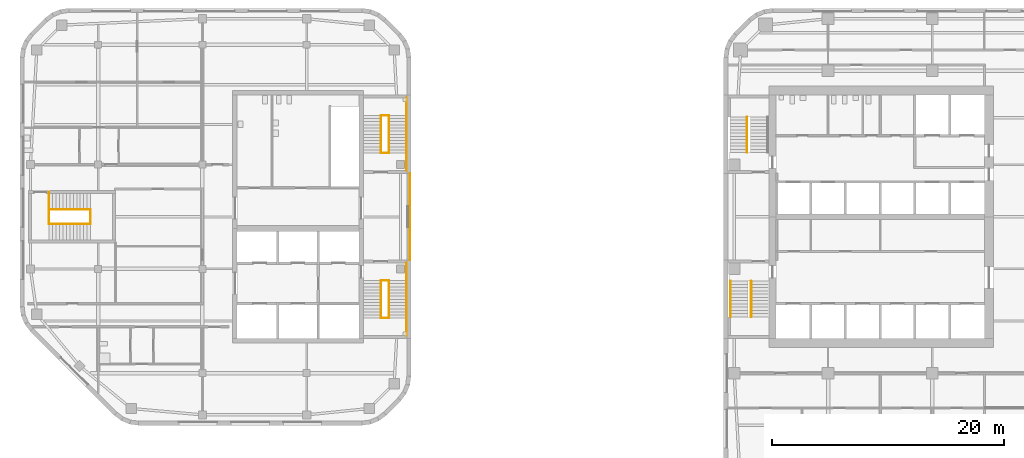
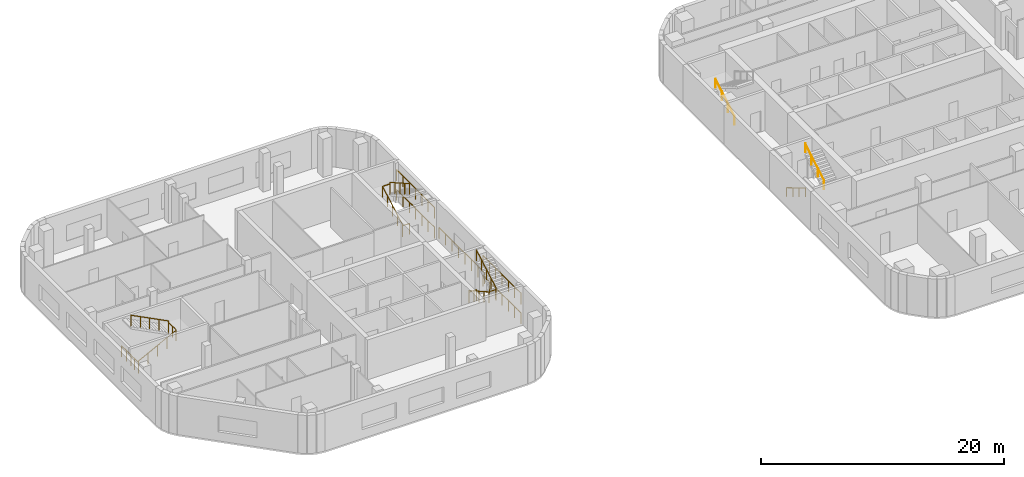
# One storey, part 13 of 15: 21 railings, 2 elements without a shape of their own.
"""IFC4 building model written with IfcOpenShell, lengths in metres."""

import ifcopenshell
import ifcopenshell.guid

model = None  # the IFC model being written
_history = None  # IfcOwnerHistory: only IFC2X3 demands one
_inside = {}  # id of a spatial element -> (the spatial element, [elements in it])
_under = {}  # id of a project, library or spatial element -> (it, [spatial elements below it])
_declared = {}  # id of a project -> (the project, [libraries it declares])
_typed = {}  # id of a type object -> (the type object, [elements of that type])
_made_of = {}  # id of a material, layer set ... -> (it, [elements and type objects made of it])


def new_model(schema):
    """Start an empty IFC model of exactly this schema.

    Asked for "IFC4X3", IfcOpenShell would pick the latest addendum, in which some entities
    have other attributes; the version numbers below select the first issue.
    IFC2X3 requires an IfcOwnerHistory on every rooted entity: one is made here for all.
    """
    global model, _history
    if schema == "IFC4X3":
        model = ifcopenshell.file(schema_version=(4, 3, 0, 0))
    else:
        model = ifcopenshell.file(schema=schema)
    _inside.clear()
    _under.clear()
    _declared.clear()
    _typed.clear()
    _made_of.clear()
    _history = None
    if model.schema == "IFC2X3":
        org = make("IfcOrganization", Name="unknown")
        user = make(
            "IfcPersonAndOrganization",
            ThePerson=make("IfcPerson", FamilyName="unknown"),
            TheOrganization=org,
        )
        app = make(
            "IfcApplication",
            ApplicationDeveloper=org,
            Version="unknown",
            ApplicationFullName="unknown",
            ApplicationIdentifier="unknown",
        )
        _history = make(
            "IfcOwnerHistory",
            OwningUser=user,
            OwningApplication=app,
            ChangeAction="ADDED",
            CreationDate=0,
        )
    return model


def make(cls, **values):
    """One entity of the class cls with the attributes given. An attribute that is None is left unset."""
    return model.create_entity(
        cls, **{name: value for name, value in values.items() if value is not None}
    )


def rooted(cls, **values):
    """An entity with a GlobalId (a new one), such as an element, a storey or a relation."""
    return make(cls, GlobalId=ifcopenshell.guid.new(), OwnerHistory=_history, **values)


def si_unit(unit_type, name, prefix=None):
    """IfcSIUnit, for example si_unit("LENGTHUNIT", "METRE", prefix="MILLI")."""
    return make("IfcSIUnit", UnitType=unit_type, Prefix=prefix, Name=name)


def assignment(units):
    """IfcUnitAssignment: the units of a project."""
    return None if units is None else make("IfcUnitAssignment", Units=units)


def point(xyz):
    """IfcCartesianPoint."""
    return None if xyz is None else make("IfcCartesianPoint", Coordinates=xyz)


def direction(xyz):
    """IfcDirection."""
    return None if xyz is None else make("IfcDirection", DirectionRatios=xyz)


def frame(location, z_axis=None, x_axis=None):
    """IfcAxis2Placement3D, a coordinate frame: its origin and axes. An axis left out is left unset."""
    return make(
        "IfcAxis2Placement3D",
        Location=point(location),
        Axis=direction(z_axis),
        RefDirection=direction(x_axis),
    )


def frame_2d(location, x_axis=None):
    """IfcAxis2Placement2D, a coordinate frame in the plane: its origin and x axis."""
    return make(
        "IfcAxis2Placement2D", Location=point(location), RefDirection=direction(x_axis)
    )


def origin():
    """The frame at (0, 0, 0) with its axes left unset."""
    return frame((0.0, 0.0, 0.0))


def origin_2d():
    """The frame at (0, 0) in the plane with its x axis left unset."""
    return frame_2d((0.0, 0.0))


def place(relative_to, where):
    """IfcLocalPlacement: puts the frame where relative to a parent placement (None: the world)."""
    return make(
        "IfcLocalPlacement", PlacementRelTo=relative_to, RelativePlacement=where
    )


def context(
    kind, dimensions, precision=None, world=None, true_north=None, identifier=None
):
    """IfcGeometricRepresentationContext, for example the 3D "Model" context."""
    return make(
        "IfcGeometricRepresentationContext",
        ContextIdentifier=identifier,
        ContextType=kind,
        CoordinateSpaceDimension=dimensions,
        Precision=precision,
        WorldCoordinateSystem=world,
        TrueNorth=true_north,
    )


def subcontext(parent, identifier, kind, view, scale=None):
    """IfcGeometricRepresentationSubContext, for example "Body" below "Model"."""
    return make(
        "IfcGeometricRepresentationSubContext",
        ContextIdentifier=identifier,
        ContextType=kind,
        ParentContext=parent,
        TargetScale=scale,
        TargetView=view,
    )


def project(units=None, contexts=None):
    """IfcProject with its units and contexts."""
    return rooted(
        "IfcProject",
        Name="project",
        RepresentationContexts=contexts,
        UnitsInContext=assignment(units),
    )


def spatial(cls, under=None, at=None, **own):
    """A site, building, storey or space (cls), placed at a placement, below another one or the project."""
    s = rooted(cls, ObjectPlacement=at, **own)
    if under is not None:
        _under.setdefault(under.id(), (under, []))[1].append(s)
    return s


def profile(cls, at=None, kind="AREA", **sizes):
    """A parametric profile (cls). Its sizes go by their IFC names, for example OverallWidth=200.0."""
    return make(cls, ProfileType=kind, Position=at, **sizes)


def circle(**sizes):
    """IfcCircleProfileDef."""
    return profile("IfcCircleProfileDef", **sizes)


def extrude(swept, where, along, depth):
    """IfcExtrudedAreaSolid: the profile swept, set in the frame where, extruded along a direction by depth."""
    return make(
        "IfcExtrudedAreaSolid",
        SweptArea=swept,
        Position=where,
        ExtrudedDirection=direction(along),
        Depth=depth,
    )


def shape(context_of_items, identifier, shape_type, items):
    """IfcShapeRepresentation: the items that make up one representation, for example the "Body"."""
    return make(
        "IfcShapeRepresentation",
        ContextOfItems=context_of_items,
        RepresentationIdentifier=identifier,
        RepresentationType=shape_type,
        Items=items,
    )


def material(Name=None, Category=None):
    """IfcMaterial."""
    return make("IfcMaterial", Name=Name, Category=Category)


def made_of(thing, what):
    """Note that an element or type object is made of a material, layer set ...; save() writes the relation."""
    if what is not None:
        _made_of.setdefault(what.id(), (what, []))[1].append(thing)
    return thing


def type_object(cls, material=None, **own):
    """A type object (cls), such as IfcWallType, which elements share."""
    return made_of(rooted(cls, **own), material)


def element(
    cls,
    number,
    at=None,
    inside=None,
    cuts=None,
    type_object=None,
    material=None,
    context=None,
    identifier="Body",
    shape_type=None,
    held_by="IfcProductDefinitionShape",
    body=None,
    shapes=None,
    **own,
):
    """One element of the class cls, such as IfcWall. Its Tag is "e" and its number.

    at: its placement. inside: the storey or other place that contains it. cuts: it is an
    opening in that element (IfcRelVoidsElement). A single representation is given by context,
    identifier, shape_type and body (its items); several are given by shapes. held_by: the class
    of the entity that holds the representations. save() writes the other relations.
    """
    e = rooted(cls, Tag="e%d" % number, ObjectPlacement=at, **own)
    if body is not None:
        shapes = [shape(context, identifier, shape_type, body)]
    if shapes is not None:
        e.Representation = make(held_by, Representations=shapes)
    if inside is not None:
        _inside.setdefault(inside.id(), (inside, []))[1].append(e)
    if cuts is not None:
        rooted(
            "IfcRelVoidsElement", RelatingBuildingElement=cuts, RelatedOpeningElement=e
        )
    if type_object is not None:
        _typed.setdefault(type_object.id(), (type_object, []))[1].append(e)
    return made_of(e, material)


def aggregate(whole, parts):
    """IfcRelAggregates: a whole, such as a stair, and the parts it consists of."""
    return rooted("IfcRelAggregates", RelatingObject=whole, RelatedObjects=parts)


def save(model, path):
    """Write the relations noted so far, then the file.

    IfcRelAggregates (storeys below a building ...), IfcRelContainedInSpatialStructure (elements
    in a storey), IfcRelDefinesByType, IfcRelAssociatesMaterial and IfcRelDeclares: one each for
    every whole, place, type object, material and project.
    """
    for whole, parts in _under.values():
        aggregate(whole, parts)
    for where, things in _inside.values():
        rooted(
            "IfcRelContainedInSpatialStructure",
            RelatedElements=things,
            RelatingStructure=where,
        )
    for kind, things in _typed.values():
        rooted("IfcRelDefinesByType", RelatedObjects=things, RelatingType=kind)
    for what, things in _made_of.values():
        rooted("IfcRelAssociatesMaterial", RelatedObjects=things, RelatingMaterial=what)
    for by, libraries in _declared.values():
        rooted("IfcRelDeclares", RelatingContext=by, RelatedDefinitions=libraries)
    model.write(path)


model = new_model("IFC4")

# Units and contexts
model_context = context("Model", 3, precision=1e-05, world=origin(), true_north=direction((0.0, 1.0)))
body_context = subcontext(model_context, "Body", "Model", "MODEL_VIEW")
ifc_project = project(units=[si_unit("LENGTHUNIT", "METRE"), si_unit("AREAUNIT", "SQUARE_METRE"), si_unit("VOLUMEUNIT", "CUBIC_METRE"), si_unit("PLANEANGLEUNIT", "RADIAN"), si_unit("MASSUNIT", "GRAM", prefix="KILO")], contexts=[model_context])

# Site, building, storey
site_placement = place(None, origin())
site = spatial("IfcSite", under=ifc_project, at=site_placement, CompositionType="ELEMENT")
building_placement = place(site_placement, origin())
building = spatial("IfcBuilding", under=site, at=building_placement, Name="Cinnabar Reach Civic Tower", CompositionType="ELEMENT")
storey_placement = place(building_placement, frame((0.0, 0.0, 120.0)))
storey = spatial("IfcBuildingStorey", under=building, at=storey_placement, Name="L28", CompositionType="ELEMENT", Elevation=120.0)

# Stair, railings
ifc_material_1 = material(Name="Concrete C40/50", Category="concrete")
stair_type = type_object("IfcStairType", Name="T1 Exit stair, half-turn", PredefinedType="HALF_TURN_STAIR", material=ifc_material_1)
stair_1_placement = place(storey_placement, origin())
stair_1 = element("IfcStair", 1, at=stair_1_placement, inside=storey, type_object=stair_type, Name="Stair T1-S1", PredefinedType="HALF_TURN_STAIR")
ifc_material_2 = material(Name="Stainless steel tube", Category="steel")
railing_type_1 = type_object("IfcRailingType", Name="T1 Stair handrail, stainless tube 48", PredefinedType="HANDRAIL", material=ifc_material_2)
railing_1_placement = place(storey_placement, frame((0.6, 25.95, 0.1667)))
railing_1 = element("IfcRailing", 2, at=railing_1_placement, type_object=railing_type_1, Name="T1-S1 handrail 1", PredefinedType="HANDRAIL", context=body_context, shape_type="SweptSolid", body=[
    extrude(circle(Radius=0.024, at=origin_2d()), frame((0.0, 0.0, 0.876), z_axis=(0.0, -0.859296971757, 0.511476992962), x_axis=(1.0, 0.0, 0.0)), (0.0, 0.0, 1.0), 3.5843),
    extrude(circle(Radius=0.021, at=origin_2d()), origin(), (0.0, 0.0, 1.0), 0.852),
    extrude(circle(Radius=0.021, at=origin_2d()), frame((0.0, -1.0267, 0.6111)), (0.0, 0.0, 1.0), 0.852),
    extrude(circle(Radius=0.021, at=origin_2d()), frame((0.0, -2.0533, 1.2222)), (0.0, 0.0, 1.0), 0.852),
    extrude(circle(Radius=0.021, at=origin_2d()), frame((0.0, -3.08, 1.8333)), (0.0, 0.0, 1.0), 0.852),
])
railing_2_placement = place(storey_placement, frame((2.375, 22.87, 2.1667)))
railing_2 = element("IfcRailing", 3, at=railing_2_placement, type_object=railing_type_1, Name="T1-S1 handrail 2", PredefinedType="HANDRAIL", context=body_context, shape_type="SweptSolid", body=[
    extrude(circle(Radius=0.024, at=origin_2d()), frame((0.0, 0.0, 0.876), z_axis=(0.0, 0.859296971757, 0.511476992962), x_axis=(-1.0, 0.0, 0.0)), (0.0, 0.0, 1.0), 3.5843),
    extrude(circle(Radius=0.021, at=origin_2d()), origin(), (0.0, 0.0, 1.0), 0.852),
    extrude(circle(Radius=0.021, at=origin_2d()), frame((0.0, 1.0267, 0.6111)), (0.0, 0.0, 1.0), 0.852),
    extrude(circle(Radius=0.021, at=origin_2d()), frame((0.0, 2.0533, 1.2222)), (0.0, 0.0, 1.0), 0.852),
    extrude(circle(Radius=0.021, at=origin_2d()), frame((0.0, 3.08, 1.8333)), (0.0, 0.0, 1.0), 0.852),
])
aggregate(stair_1, [railing_1, railing_2])

# Stair, railing
stair_2_placement = place(storey_placement, origin())
stair_2 = element("IfcStair", 4, at=stair_2_placement, inside=storey, type_object=stair_type, Name="Stair T1-S2", PredefinedType="HALF_TURN_STAIR")
railing_3_placement = place(storey_placement, frame((2.025, 37.05, 0.1667)))
railing_3 = element("IfcRailing", 5, at=railing_3_placement, type_object=railing_type_1, Name="T1-S2 handrail 1", PredefinedType="HANDRAIL", context=body_context, shape_type="SweptSolid", body=[
    extrude(circle(Radius=0.024, at=origin_2d()), frame((0.0, 0.0, 0.876), z_axis=(0.0, 0.859296971757, 0.511476992962), x_axis=(-1.0, 0.0, 0.0)), (0.0, 0.0, 1.0), 3.5843),
    extrude(circle(Radius=0.021, at=origin_2d()), origin(), (0.0, 0.0, 1.0), 0.852),
    extrude(circle(Radius=0.021, at=origin_2d()), frame((0.0, 1.0267, 0.6111)), (0.0, 0.0, 1.0), 0.852),
    extrude(circle(Radius=0.021, at=origin_2d()), frame((0.0, 2.0533, 1.2222)), (0.0, 0.0, 1.0), 0.852),
    extrude(circle(Radius=0.021, at=origin_2d()), frame((0.0, 3.08, 1.8333)), (0.0, 0.0, 1.0), 0.852),
])
aggregate(stair_2, [railing_3])

# Railings
ifc_material_3 = material(Name="Stainless steel", Category="steel")
railing_type_2 = type_object("IfcRailingType", Name="T2 Stair guard 1100", PredefinedType="GUARDRAIL", material=ifc_material_3)
railing_4_placement = place(storey_placement, frame((-27.1, 27.75, 0.0)))
element("IfcRailing", 6, at=railing_4_placement, inside=storey, type_object=railing_type_2, Name="Corridor end guard", PredefinedType="GUARDRAIL", context=body_context, shape_type="SweptSolid", body=[
    extrude(circle(Radius=0.024, at=origin_2d()), frame((0.0, 0.0, 1.076), z_axis=(0.0, 1.0, 0.0), x_axis=(-1.0, 0.0, 0.0)), (0.0, 0.0, 1.0), 7.5),
    extrude(circle(Radius=0.021, at=origin_2d()), origin(), (0.0, 0.0, 1.0), 1.052),
    extrude(circle(Radius=0.021, at=origin_2d()), frame((0.0, 1.0714, 0.0)), (0.0, 0.0, 1.0), 1.052),
    extrude(circle(Radius=0.021, at=origin_2d()), frame((0.0, 2.1429, 0.0)), (0.0, 0.0, 1.0), 1.052),
    extrude(circle(Radius=0.021, at=origin_2d()), frame((0.0, 3.2143, 0.0)), (0.0, 0.0, 1.0), 1.052),
    extrude(circle(Radius=0.021, at=origin_2d()), frame((0.0, 4.2857, 0.0)), (0.0, 0.0, 1.0), 1.052),
    extrude(circle(Radius=0.021, at=origin_2d()), frame((0.0, 5.3571, 0.0)), (0.0, 0.0, 1.0), 1.052),
    extrude(circle(Radius=0.021, at=origin_2d()), frame((0.0, 6.4286, 0.0)), (0.0, 0.0, 1.0), 1.052),
    extrude(circle(Radius=0.021, at=origin_2d()), frame((0.0, 7.5, 0.0)), (0.0, 0.0, 1.0), 1.052),
])
for number, where, name in (
    (7, (-27.4, 21.25, 0.0), "Stair guard 1"),
    (8, (-27.4, 21.25, 2.0), "Stair guard 1"),
):
    element("IfcRailing", number, at=place(storey_placement, frame(where)), inside=storey, type_object=railing_type_2, Name=name, PredefinedType="GUARDRAIL", context=body_context, shape_type="SweptSolid", body=[
        extrude(circle(Radius=0.024, at=origin_2d()), frame((0.0, 0.0, 1.076), z_axis=(0.0, 1.0, 0.0), x_axis=(-1.0, 0.0, 0.0)), (0.0, 0.0, 1.0), 6.25),
        extrude(circle(Radius=0.021, at=origin_2d()), origin(), (0.0, 0.0, 1.0), 1.052),
        extrude(circle(Radius=0.021, at=origin_2d()), frame((0.0, 1.0417, 0.0)), (0.0, 0.0, 1.0), 1.052),
        extrude(circle(Radius=0.021, at=origin_2d()), frame((0.0, 2.0833, 0.0)), (0.0, 0.0, 1.0), 1.052),
        extrude(circle(Radius=0.021, at=origin_2d()), frame((0.0, 3.125, 0.0)), (0.0, 0.0, 1.0), 1.052),
        extrude(circle(Radius=0.021, at=origin_2d()), frame((0.0, 4.1667, 0.0)), (0.0, 0.0, 1.0), 1.052),
        extrude(circle(Radius=0.021, at=origin_2d()), frame((0.0, 5.2083, 0.0)), (0.0, 0.0, 1.0), 1.052),
        extrude(circle(Radius=0.021, at=origin_2d()), frame((0.0, 6.25, 0.0)), (0.0, 0.0, 1.0), 1.052),
    ])
for number, where, name in (
    (9, (-29.6, 26.0, 0.0), "Stair guard 1"),
    (10, (-29.6, 22.75, 2.0), "Stair guard 1"),
):
    element("IfcRailing", number, at=place(storey_placement, frame(where)), inside=storey, type_object=railing_type_2, Name=name, PredefinedType="GUARDRAIL", context=body_context, shape_type="SweptSolid", body=[
        extrude(circle(Radius=0.024, at=origin_2d()), frame((0.0, 0.0, 1.076), z_axis=(1.0, 0.0, 0.0), x_axis=(0.0, 1.0, 0.0)), (0.0, 0.0, 1.0), 0.7),
        extrude(circle(Radius=0.021, at=origin_2d()), origin(), (0.0, 0.0, 1.0), 1.052),
        extrude(circle(Radius=0.021, at=origin_2d()), frame((0.7, 0.0, 0.0)), (0.0, 0.0, 1.0), 1.052),
    ])
railing_5_placement = place(storey_placement, frame((-29.6, 26.0, 0.1538)))
element("IfcRailing", 11, at=railing_5_placement, inside=storey, type_object=railing_type_2, Name="Stair guard 1", PredefinedType="GUARDRAIL", context=body_context, shape_type="SweptSolid", body=[
    extrude(circle(Radius=0.024, at=origin_2d()), frame((0.0, 0.0, 1.076), z_axis=(0.0, -0.869501474428, 0.493930345258), x_axis=(1.0, 0.0, 0.0)), (0.0, 0.0, 1.0), 3.7378),
    extrude(circle(Radius=0.021, at=origin_2d()), origin(), (0.0, 0.0, 1.0), 1.052),
    extrude(circle(Radius=0.021, at=origin_2d()), frame((0.0, -0.8125, 0.4615)), (0.0, 0.0, 1.0), 1.052),
    extrude(circle(Radius=0.021, at=origin_2d()), frame((0.0, -1.625, 0.9231)), (0.0, 0.0, 1.0), 1.052),
    extrude(circle(Radius=0.021, at=origin_2d()), frame((0.0, -2.4375, 1.3846)), (0.0, 0.0, 1.0), 1.052),
    extrude(circle(Radius=0.021, at=origin_2d()), frame((0.0, -3.25, 1.8462)), (0.0, 0.0, 1.0), 1.052),
])
railing_6_placement = place(storey_placement, frame((-28.9, 22.75, 2.1538)))
element("IfcRailing", 12, at=railing_6_placement, inside=storey, type_object=railing_type_2, Name="Stair guard 1", PredefinedType="GUARDRAIL", context=body_context, shape_type="SweptSolid", body=[
    extrude(circle(Radius=0.024, at=origin_2d()), frame((0.0, 0.0, 1.076), z_axis=(0.0, 0.869501474428, 0.493930345258), x_axis=(-1.0, 0.0, 0.0)), (0.0, 0.0, 1.0), 3.7378),
    extrude(circle(Radius=0.021, at=origin_2d()), origin(), (0.0, 0.0, 1.0), 1.052),
    extrude(circle(Radius=0.021, at=origin_2d()), frame((0.0, 0.8125, 0.4615)), (0.0, 0.0, 1.0), 1.052),
    extrude(circle(Radius=0.021, at=origin_2d()), frame((0.0, 1.625, 0.9231)), (0.0, 0.0, 1.0), 1.052),
    extrude(circle(Radius=0.021, at=origin_2d()), frame((0.0, 2.4375, 1.3846)), (0.0, 0.0, 1.0), 1.052),
    extrude(circle(Radius=0.021, at=origin_2d()), frame((0.0, 3.25, 1.8462)), (0.0, 0.0, 1.0), 1.052),
])
for number, where, name in (
    (13, (-27.4, 35.5, 0.0), "Stair guard 2"),
    (14, (-27.4, 35.5, 2.0), "Stair guard 2"),
):
    element("IfcRailing", number, at=place(storey_placement, frame(where)), inside=storey, type_object=railing_type_2, Name=name, PredefinedType="GUARDRAIL", context=body_context, shape_type="SweptSolid", body=[
        extrude(circle(Radius=0.024, at=origin_2d()), frame((0.0, 0.0, 1.076), z_axis=(0.0, 1.0, 0.0), x_axis=(-1.0, 0.0, 0.0)), (0.0, 0.0, 1.0), 6.25),
        extrude(circle(Radius=0.021, at=origin_2d()), origin(), (0.0, 0.0, 1.0), 1.052),
        extrude(circle(Radius=0.021, at=origin_2d()), frame((0.0, 1.0417, 0.0)), (0.0, 0.0, 1.0), 1.052),
        extrude(circle(Radius=0.021, at=origin_2d()), frame((0.0, 2.0833, 0.0)), (0.0, 0.0, 1.0), 1.052),
        extrude(circle(Radius=0.021, at=origin_2d()), frame((0.0, 3.125, 0.0)), (0.0, 0.0, 1.0), 1.052),
        extrude(circle(Radius=0.021, at=origin_2d()), frame((0.0, 4.1667, 0.0)), (0.0, 0.0, 1.0), 1.052),
        extrude(circle(Radius=0.021, at=origin_2d()), frame((0.0, 5.2083, 0.0)), (0.0, 0.0, 1.0), 1.052),
        extrude(circle(Radius=0.021, at=origin_2d()), frame((0.0, 6.25, 0.0)), (0.0, 0.0, 1.0), 1.052),
    ])
for number, where, name in (
    (15, (-29.6, 37.0, 0.0), "Stair guard 2"),
    (16, (-29.6, 40.25, 2.0), "Stair guard 2"),
):
    element("IfcRailing", number, at=place(storey_placement, frame(where)), inside=storey, type_object=railing_type_2, Name=name, PredefinedType="GUARDRAIL", context=body_context, shape_type="SweptSolid", body=[
        extrude(circle(Radius=0.024, at=origin_2d()), frame((0.0, 0.0, 1.076), z_axis=(1.0, 0.0, 0.0), x_axis=(0.0, 1.0, 0.0)), (0.0, 0.0, 1.0), 0.7),
        extrude(circle(Radius=0.021, at=origin_2d()), origin(), (0.0, 0.0, 1.0), 1.052),
        extrude(circle(Radius=0.021, at=origin_2d()), frame((0.7, 0.0, 0.0)), (0.0, 0.0, 1.0), 1.052),
    ])
railing_7_placement = place(storey_placement, frame((-29.6, 37.0, 0.1538)))
element("IfcRailing", 17, at=railing_7_placement, inside=storey, type_object=railing_type_2, Name="Stair guard 2", PredefinedType="GUARDRAIL", context=body_context, shape_type="SweptSolid", body=[
    extrude(circle(Radius=0.024, at=origin_2d()), frame((0.0, 0.0, 1.076), z_axis=(0.0, 0.869501474428, 0.493930345258), x_axis=(-1.0, 0.0, 0.0)), (0.0, 0.0, 1.0), 3.7378),
    extrude(circle(Radius=0.021, at=origin_2d()), origin(), (0.0, 0.0, 1.0), 1.052),
    extrude(circle(Radius=0.021, at=origin_2d()), frame((0.0, 0.8125, 0.4615)), (0.0, 0.0, 1.0), 1.052),
    extrude(circle(Radius=0.021, at=origin_2d()), frame((0.0, 1.625, 0.9231)), (0.0, 0.0, 1.0), 1.052),
    extrude(circle(Radius=0.021, at=origin_2d()), frame((0.0, 2.4375, 1.3846)), (0.0, 0.0, 1.0), 1.052),
    extrude(circle(Radius=0.021, at=origin_2d()), frame((0.0, 3.25, 1.8462)), (0.0, 0.0, 1.0), 1.052),
])
railing_8_placement = place(storey_placement, frame((-28.9, 40.25, 2.1538)))
element("IfcRailing", 18, at=railing_8_placement, inside=storey, type_object=railing_type_2, Name="Stair guard 2", PredefinedType="GUARDRAIL", context=body_context, shape_type="SweptSolid", body=[
    extrude(circle(Radius=0.024, at=origin_2d()), frame((0.0, 0.0, 1.076), z_axis=(0.0, -0.869501474428, 0.493930345258), x_axis=(1.0, 0.0, 0.0)), (0.0, 0.0, 1.0), 3.7378),
    extrude(circle(Radius=0.021, at=origin_2d()), origin(), (0.0, 0.0, 1.0), 1.052),
    extrude(circle(Radius=0.021, at=origin_2d()), frame((0.0, -0.8125, 0.4615)), (0.0, 0.0, 1.0), 1.052),
    extrude(circle(Radius=0.021, at=origin_2d()), frame((0.0, -1.625, 0.9231)), (0.0, 0.0, 1.0), 1.052),
    extrude(circle(Radius=0.021, at=origin_2d()), frame((0.0, -2.4375, 1.3846)), (0.0, 0.0, 1.0), 1.052),
    extrude(circle(Radius=0.021, at=origin_2d()), frame((0.0, -3.25, 1.8462)), (0.0, 0.0, 1.0), 1.052),
])
railing_9_placement = place(storey_placement, frame((-58.25, 30.875, 0.0)))
element("IfcRailing", 19, at=railing_9_placement, inside=storey, type_object=railing_type_2, Name="Stair guard 3", PredefinedType="GUARDRAIL", context=body_context, shape_type="SweptSolid", body=[
    extrude(circle(Radius=0.024, at=origin_2d()), frame((0.0, 0.0, 1.076), z_axis=(0.0, 1.0, 0.0), x_axis=(-1.0, 0.0, 0.0)), (0.0, 0.0, 1.0), 1.25),
    extrude(circle(Radius=0.021, at=origin_2d()), origin(), (0.0, 0.0, 1.0), 1.052),
    extrude(circle(Radius=0.021, at=origin_2d()), frame((0.0, 0.625, 0.0)), (0.0, 0.0, 1.0), 1.052),
    extrude(circle(Radius=0.021, at=origin_2d()), frame((0.0, 1.25, 0.0)), (0.0, 0.0, 1.0), 1.052),
])
railing_10_placement = place(storey_placement, frame((-58.25, 32.125, 0.0)))
element("IfcRailing", 20, at=railing_10_placement, inside=storey, type_object=railing_type_2, Name="Stair guard 3", PredefinedType="GUARDRAIL", context=body_context, shape_type="SweptSolid", body=[
    extrude(circle(Radius=0.024, at=origin_2d()), frame((0.0, 0.0, 1.076), z_axis=(0.0, 1.0, 0.0), x_axis=(-1.0, 0.0, 0.0)), (0.0, 0.0, 1.0), 1.5),
    extrude(circle(Radius=0.021, at=origin_2d()), origin(), (0.0, 0.0, 1.0), 1.052),
    extrude(circle(Radius=0.021, at=origin_2d()), frame((0.0, 0.75, 0.0)), (0.0, 0.0, 1.0), 1.052),
    extrude(circle(Radius=0.021, at=origin_2d()), frame((0.0, 1.5, 0.0)), (0.0, 0.0, 1.0), 1.052),
])
railing_11_placement = place(storey_placement, frame((-54.65, 30.875, 2.0)))
element("IfcRailing", 21, at=railing_11_placement, inside=storey, type_object=railing_type_2, Name="Stair guard 3", PredefinedType="GUARDRAIL", context=body_context, shape_type="SweptSolid", body=[
    extrude(circle(Radius=0.024, at=origin_2d()), frame((0.0, 0.0, 1.076), z_axis=(0.0, 1.0, 0.0), x_axis=(-1.0, 0.0, 0.0)), (0.0, 0.0, 1.0), 1.25),
    extrude(circle(Radius=0.021, at=origin_2d()), origin(), (0.0, 0.0, 1.0), 1.052),
    extrude(circle(Radius=0.021, at=origin_2d()), frame((0.0, 0.625, 0.0)), (0.0, 0.0, 1.0), 1.052),
    extrude(circle(Radius=0.021, at=origin_2d()), frame((0.0, 1.25, 0.0)), (0.0, 0.0, 1.0), 1.052),
])
railing_12_placement = place(storey_placement, frame((-58.25, 30.875, 0.1538)))
element("IfcRailing", 22, at=railing_12_placement, inside=storey, type_object=railing_type_2, Name="Stair guard 3", PredefinedType="GUARDRAIL", context=body_context, shape_type="SweptSolid", body=[
    extrude(circle(Radius=0.024, at=origin_2d()), frame((0.0, 0.0, 1.076), z_axis=(0.889812830738, 0.0, 0.45632568003), x_axis=(0.0, 1.0, 0.0)), (0.0, 0.0, 1.0), 4.0458),
    extrude(circle(Radius=0.021, at=origin_2d()), origin(), (0.0, 0.0, 1.0), 1.052),
    extrude(circle(Radius=0.021, at=origin_2d()), frame((0.9, 0.0, 0.4615)), (0.0, 0.0, 1.0), 1.052),
    extrude(circle(Radius=0.021, at=origin_2d()), frame((1.8, 0.0, 0.9231)), (0.0, 0.0, 1.0), 1.052),
    extrude(circle(Radius=0.021, at=origin_2d()), frame((2.7, 0.0, 1.3846)), (0.0, 0.0, 1.0), 1.052),
    extrude(circle(Radius=0.021, at=origin_2d()), frame((3.6, 0.0, 1.8462)), (0.0, 0.0, 1.0), 1.052),
])
railing_13_placement = place(storey_placement, frame((-54.65, 32.125, 2.1538)))
element("IfcRailing", 23, at=railing_13_placement, inside=storey, type_object=railing_type_2, Name="Stair guard 3", PredefinedType="GUARDRAIL", context=body_context, shape_type="SweptSolid", body=[
    extrude(circle(Radius=0.024, at=origin_2d()), frame((0.0, 0.0, 1.076), z_axis=(-0.889812830738, 0.0, 0.45632568003), x_axis=(0.0, -1.0, 0.0)), (0.0, 0.0, 1.0), 4.0458),
    extrude(circle(Radius=0.021, at=origin_2d()), origin(), (0.0, 0.0, 1.0), 1.052),
    extrude(circle(Radius=0.021, at=origin_2d()), frame((-0.9, 0.0, 0.4615)), (0.0, 0.0, 1.0), 1.052),
    extrude(circle(Radius=0.021, at=origin_2d()), frame((-1.8, 0.0, 0.9231)), (0.0, 0.0, 1.0), 1.052),
    extrude(circle(Radius=0.021, at=origin_2d()), frame((-2.7, 0.0, 1.3846)), (0.0, 0.0, 1.0), 1.052),
    extrude(circle(Radius=0.021, at=origin_2d()), frame((-3.6, 0.0, 1.8462)), (0.0, 0.0, 1.0), 1.052),
])

save(model, "model.ifc")
